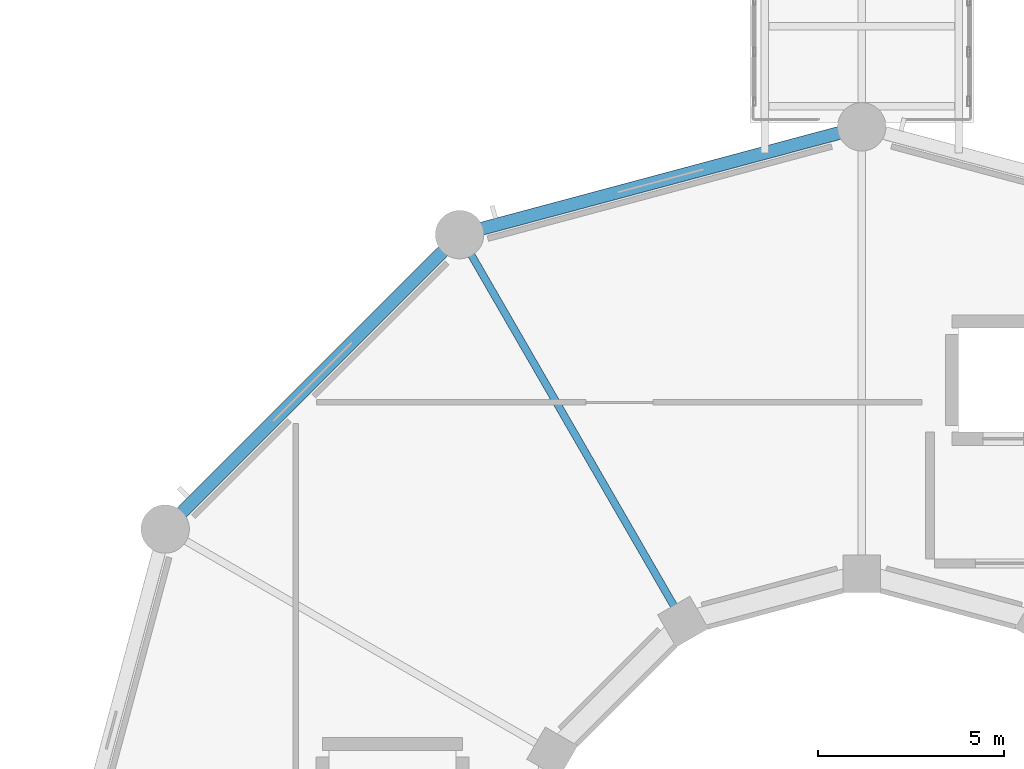
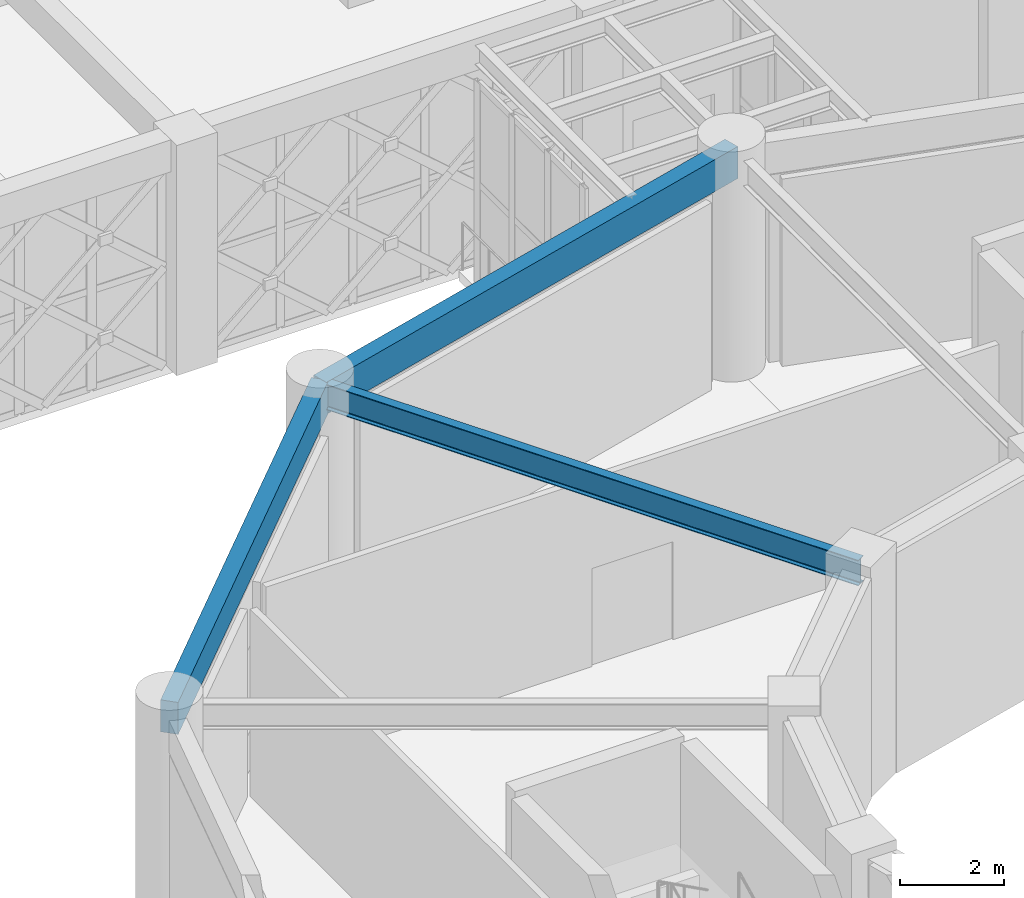
# One storey, part 66 of 155: 3 beams.
"""IFC4 building model written with IfcOpenShell, lengths in metres."""

import ifcopenshell
import ifcopenshell.guid

model = None  # the IFC model being written
_history = None  # IfcOwnerHistory: only IFC2X3 demands one
_inside = {}  # id of a spatial element -> (the spatial element, [elements in it])
_under = {}  # id of a project, library or spatial element -> (it, [spatial elements below it])
_declared = {}  # id of a project -> (the project, [libraries it declares])
_typed = {}  # id of a type object -> (the type object, [elements of that type])
_made_of = {}  # id of a material, layer set ... -> (it, [elements and type objects made of it])


def new_model(schema):
    """Start an empty IFC model of exactly this schema.

    Asked for "IFC4X3", IfcOpenShell would pick the latest addendum, in which some entities
    have other attributes; the version numbers below select the first issue.
    IFC2X3 requires an IfcOwnerHistory on every rooted entity: one is made here for all.
    """
    global model, _history
    if schema == "IFC4X3":
        model = ifcopenshell.file(schema_version=(4, 3, 0, 0))
    else:
        model = ifcopenshell.file(schema=schema)
    _inside.clear()
    _under.clear()
    _declared.clear()
    _typed.clear()
    _made_of.clear()
    _history = None
    if model.schema == "IFC2X3":
        org = make("IfcOrganization", Name="unknown")
        user = make(
            "IfcPersonAndOrganization",
            ThePerson=make("IfcPerson", FamilyName="unknown"),
            TheOrganization=org,
        )
        app = make(
            "IfcApplication",
            ApplicationDeveloper=org,
            Version="unknown",
            ApplicationFullName="unknown",
            ApplicationIdentifier="unknown",
        )
        _history = make(
            "IfcOwnerHistory",
            OwningUser=user,
            OwningApplication=app,
            ChangeAction="ADDED",
            CreationDate=0,
        )
    return model


def make(cls, **values):
    """One entity of the class cls with the attributes given. An attribute that is None is left unset."""
    return model.create_entity(
        cls, **{name: value for name, value in values.items() if value is not None}
    )


def rooted(cls, **values):
    """An entity with a GlobalId (a new one), such as an element, a storey or a relation."""
    return make(cls, GlobalId=ifcopenshell.guid.new(), OwnerHistory=_history, **values)


def si_unit(unit_type, name, prefix=None):
    """IfcSIUnit, for example si_unit("LENGTHUNIT", "METRE", prefix="MILLI")."""
    return make("IfcSIUnit", UnitType=unit_type, Prefix=prefix, Name=name)


def assignment(units):
    """IfcUnitAssignment: the units of a project."""
    return None if units is None else make("IfcUnitAssignment", Units=units)


def point(xyz):
    """IfcCartesianPoint."""
    return None if xyz is None else make("IfcCartesianPoint", Coordinates=xyz)


def direction(xyz):
    """IfcDirection."""
    return None if xyz is None else make("IfcDirection", DirectionRatios=xyz)


def frame(location, z_axis=None, x_axis=None):
    """IfcAxis2Placement3D, a coordinate frame: its origin and axes. An axis left out is left unset."""
    return make(
        "IfcAxis2Placement3D",
        Location=point(location),
        Axis=direction(z_axis),
        RefDirection=direction(x_axis),
    )


def frame_2d(location, x_axis=None):
    """IfcAxis2Placement2D, a coordinate frame in the plane: its origin and x axis."""
    return make(
        "IfcAxis2Placement2D", Location=point(location), RefDirection=direction(x_axis)
    )


def origin():
    """The frame at (0, 0, 0) with its axes left unset."""
    return frame((0.0, 0.0, 0.0))


def origin_2d():
    """The frame at (0, 0) in the plane with its x axis left unset."""
    return frame_2d((0.0, 0.0))


def place(relative_to, where):
    """IfcLocalPlacement: puts the frame where relative to a parent placement (None: the world)."""
    return make(
        "IfcLocalPlacement", PlacementRelTo=relative_to, RelativePlacement=where
    )


def context(
    kind, dimensions, precision=None, world=None, true_north=None, identifier=None
):
    """IfcGeometricRepresentationContext, for example the 3D "Model" context."""
    return make(
        "IfcGeometricRepresentationContext",
        ContextIdentifier=identifier,
        ContextType=kind,
        CoordinateSpaceDimension=dimensions,
        Precision=precision,
        WorldCoordinateSystem=world,
        TrueNorth=true_north,
    )


def subcontext(parent, identifier, kind, view, scale=None):
    """IfcGeometricRepresentationSubContext, for example "Body" below "Model"."""
    return make(
        "IfcGeometricRepresentationSubContext",
        ContextIdentifier=identifier,
        ContextType=kind,
        ParentContext=parent,
        TargetScale=scale,
        TargetView=view,
    )


def project(units=None, contexts=None):
    """IfcProject with its units and contexts."""
    return rooted(
        "IfcProject",
        Name="project",
        RepresentationContexts=contexts,
        UnitsInContext=assignment(units),
    )


def spatial(cls, under=None, at=None, **own):
    """A site, building, storey or space (cls), placed at a placement, below another one or the project."""
    s = rooted(cls, ObjectPlacement=at, **own)
    if under is not None:
        _under.setdefault(under.id(), (under, []))[1].append(s)
    return s


def profile(cls, at=None, kind="AREA", **sizes):
    """A parametric profile (cls). Its sizes go by their IFC names, for example OverallWidth=200.0."""
    return make(cls, ProfileType=kind, Position=at, **sizes)


def rectangle(**sizes):
    """IfcRectangleProfileDef."""
    return profile("IfcRectangleProfileDef", **sizes)


def i_section(**sizes):
    """IfcIShapeProfileDef."""
    return profile("IfcIShapeProfileDef", **sizes)


def extrude(swept, where, along, depth):
    """IfcExtrudedAreaSolid: the profile swept, set in the frame where, extruded along a direction by depth."""
    return make(
        "IfcExtrudedAreaSolid",
        SweptArea=swept,
        Position=where,
        ExtrudedDirection=direction(along),
        Depth=depth,
    )


def shape(context_of_items, identifier, shape_type, items):
    """IfcShapeRepresentation: the items that make up one representation, for example the "Body"."""
    return make(
        "IfcShapeRepresentation",
        ContextOfItems=context_of_items,
        RepresentationIdentifier=identifier,
        RepresentationType=shape_type,
        Items=items,
    )


def material(Name=None, Category=None):
    """IfcMaterial."""
    return make("IfcMaterial", Name=Name, Category=Category)


def material_profile(
    of_material, cross_section, Name=None, Category=None, Priority=None
):
    """IfcMaterialProfile: a cross section and its material."""
    return make(
        "IfcMaterialProfile",
        Name=Name,
        Material=of_material,
        Profile=cross_section,
        Priority=Priority,
        Category=Category,
    )


def profile_set(profiles, Name=None, composite=None):
    """IfcMaterialProfileSet."""
    return make(
        "IfcMaterialProfileSet",
        Name=Name,
        MaterialProfiles=profiles,
        CompositeProfile=composite,
    )


def made_of(thing, what):
    """Note that an element or type object is made of a material, layer set ...; save() writes the relation."""
    if what is not None:
        _made_of.setdefault(what.id(), (what, []))[1].append(thing)
    return thing


def type_object(cls, material=None, **own):
    """A type object (cls), such as IfcWallType, which elements share."""
    return made_of(rooted(cls, **own), material)


def element(
    cls,
    number,
    at=None,
    inside=None,
    cuts=None,
    type_object=None,
    material=None,
    context=None,
    identifier="Body",
    shape_type=None,
    held_by="IfcProductDefinitionShape",
    body=None,
    shapes=None,
    **own,
):
    """One element of the class cls, such as IfcWall. Its Tag is "e" and its number.

    at: its placement. inside: the storey or other place that contains it. cuts: it is an
    opening in that element (IfcRelVoidsElement). A single representation is given by context,
    identifier, shape_type and body (its items); several are given by shapes. held_by: the class
    of the entity that holds the representations. save() writes the other relations.
    """
    e = rooted(cls, Tag="e%d" % number, ObjectPlacement=at, **own)
    if body is not None:
        shapes = [shape(context, identifier, shape_type, body)]
    if shapes is not None:
        e.Representation = make(held_by, Representations=shapes)
    if inside is not None:
        _inside.setdefault(inside.id(), (inside, []))[1].append(e)
    if cuts is not None:
        rooted(
            "IfcRelVoidsElement", RelatingBuildingElement=cuts, RelatedOpeningElement=e
        )
    if type_object is not None:
        _typed.setdefault(type_object.id(), (type_object, []))[1].append(e)
    return made_of(e, material)


def aggregate(whole, parts):
    """IfcRelAggregates: a whole, such as a stair, and the parts it consists of."""
    return rooted("IfcRelAggregates", RelatingObject=whole, RelatedObjects=parts)


def save(model, path):
    """Write the relations noted so far, then the file.

    IfcRelAggregates (storeys below a building ...), IfcRelContainedInSpatialStructure (elements
    in a storey), IfcRelDefinesByType, IfcRelAssociatesMaterial and IfcRelDeclares: one each for
    every whole, place, type object, material and project.
    """
    for whole, parts in _under.values():
        aggregate(whole, parts)
    for where, things in _inside.values():
        rooted(
            "IfcRelContainedInSpatialStructure",
            RelatedElements=things,
            RelatingStructure=where,
        )
    for kind, things in _typed.values():
        rooted("IfcRelDefinesByType", RelatedObjects=things, RelatingType=kind)
    for what, things in _made_of.values():
        rooted("IfcRelAssociatesMaterial", RelatedObjects=things, RelatingMaterial=what)
    for by, libraries in _declared.values():
        rooted("IfcRelDeclares", RelatingContext=by, RelatedDefinitions=libraries)
    model.write(path)


model = new_model("IFC4")

# Units and contexts
model_context = context("Model", 3, precision=1e-05, world=origin(), true_north=direction((0.0, 1.0)))
body_context = subcontext(model_context, "Body", "Model", "MODEL_VIEW")
ifc_project = project(units=[si_unit("LENGTHUNIT", "METRE"), si_unit("AREAUNIT", "SQUARE_METRE"), si_unit("VOLUMEUNIT", "CUBIC_METRE"), si_unit("PLANEANGLEUNIT", "RADIAN"), si_unit("MASSUNIT", "GRAM", prefix="KILO")], contexts=[model_context])

# Site, building, storey
site_placement = place(None, origin())
site = spatial("IfcSite", under=ifc_project, at=site_placement, CompositionType="ELEMENT")
building_placement = place(site_placement, origin())
building = spatial("IfcBuilding", under=site, at=building_placement, Name="Haizhuo Lancet Aquarium", CompositionType="ELEMENT")
storey_placement = place(building_placement, frame((0.0, 0.0, 10.800048828125)))
storey = spatial("IfcBuildingStorey", under=building, at=storey_placement, Name="L02", CompositionType="ELEMENT", Elevation=10.800048828125)

# Beams
ifc_material_1 = material(Name="Steel S355", Category="steel")
ifc_material_profile_1 = material_profile(ifc_material_1, i_section(OverallWidth=0.199951171875, OverallDepth=0.60009765625, WebThickness=0.010986328125, FlangeThickness=0.01708984375, FilletRadius=0.02197265625, at=origin_2d()), Name="HN 600x200x11x17")
ifc_profile_set_1 = profile_set([ifc_material_profile_1], Name="Steel S355")
beam_type_1 = type_object("IfcBeamType", Name="BM-ST-HN600", PredefinedType="BEAM", material=ifc_profile_set_1)
beam_1_placement = place(storey_placement, frame((-4.800048828125, 8.31396484375, 4.85986328125), z_axis=(-0.500007758305, 0.866020924479, 0.0), x_axis=(-0.866020924479, -0.500007758305, 0.0)))
element("IfcBeam", 1, at=beam_1_placement, inside=storey, type_object=beam_type_1, Name="L02 radial gallery girder 5", PredefinedType="BEAM", context=body_context, shape_type="SweptSolid", body=[
    extrude(i_section(OverallWidth=0.199951171875, OverallDepth=0.60009765625, WebThickness=0.010986328125, FlangeThickness=0.01708984375, FilletRadius=0.02197265625, at=origin_2d()), origin(), (0.0, 0.0, 1.0), 11.999755859375),
])
ifc_material_2 = material(Name="Concrete C40/50", Category="concrete")
ifc_material_profile_2 = material_profile(ifc_material_2, rectangle(XDim=0.35009765625, YDim=0.75, at=origin_2d()), Name="RC-SP 350x750")
ifc_profile_set_2 = profile_set([ifc_material_profile_2], Name="Concrete C40/50")
beam_type_2 = type_object("IfcBeamType", Name="SPN-RC-350x750", PredefinedType="SPANDREL", material=ifc_profile_set_2)
beam_2_placement = place(storey_placement, frame((0.0, 21.60009765625, 4.784912109375), z_axis=(-0.965921832664, -0.258833949056, 0.0), x_axis=(0.258833949056, -0.965921832664, 0.0)))
element("IfcBeam", 2, at=beam_2_placement, inside=storey, type_object=beam_type_2, Name="L02 drum perimeter spandrel 4", PredefinedType="SPANDREL", context=body_context, shape_type="SweptSolid", body=[
    extrude(rectangle(XDim=0.35009765625, YDim=0.75, at=origin_2d()), origin(), (0.0, 0.0, 1.0), 11.18115234375),
])
beam_3_placement = place(storey_placement, frame((-10.800048828125, 18.7060546875, 4.784912109375), z_axis=(-0.707106781187, -0.707106781187, 0.0), x_axis=(0.707106781187, -0.707106781187, 0.0)))
element("IfcBeam", 3, at=beam_3_placement, inside=storey, type_object=beam_type_2, Name="L02 drum perimeter spandrel 5", PredefinedType="SPANDREL", context=body_context, shape_type="SweptSolid", body=[
    extrude(rectangle(XDim=0.35009765625, YDim=0.75, at=origin_2d()), origin(), (0.0, 0.0, 1.0), 11.1806640625),
])

save(model, "model.ifc")
